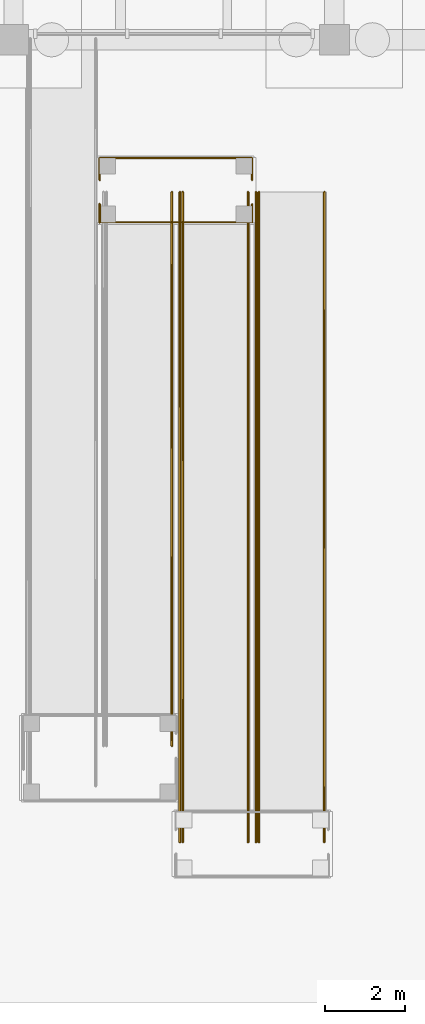
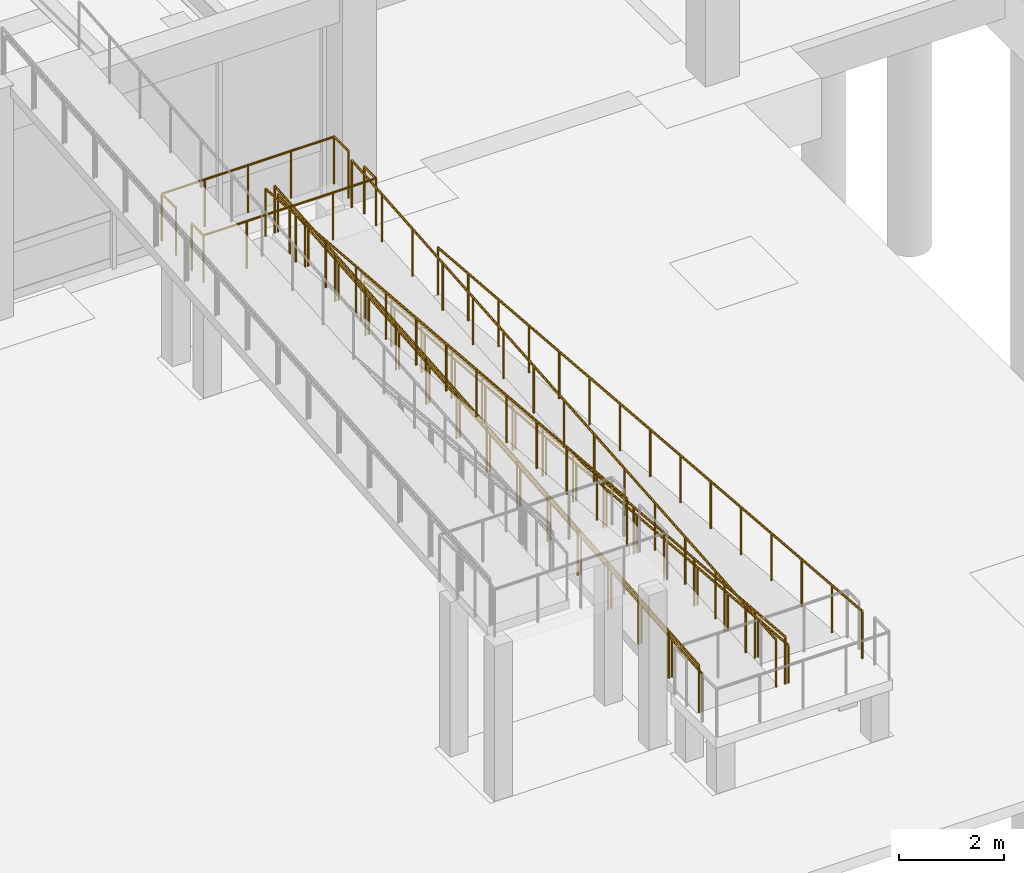
# One storey, part 37 of 44: 10 railings.
"""IFC4 building model written with IfcOpenShell, lengths in metres."""

from ifc_helpers import new_model, si_unit, direction, frame, origin, origin_2d, place, context, subcontext, project, spatial, circle, extrude, material, type_object, element, save


model = new_model("IFC4")

# Units and contexts
model_context = context("Model", 3, precision=1e-05, world=origin(), true_north=direction((0.0, 1.0)))
body_context = subcontext(model_context, "Body", "Model", "MODEL_VIEW")
ifc_project = project(units=[si_unit("LENGTHUNIT", "METRE"), si_unit("AREAUNIT", "SQUARE_METRE"), si_unit("VOLUMEUNIT", "CUBIC_METRE"), si_unit("PLANEANGLEUNIT", "RADIAN"), si_unit("MASSUNIT", "GRAM", prefix="KILO")], contexts=[model_context])

# Site, building, storey
site_placement = place(None, origin())
site = spatial("IfcSite", under=ifc_project, at=site_placement, CompositionType="ELEMENT")
building_placement = place(site_placement, origin())
building = spatial("IfcBuilding", under=site, at=building_placement, Name="Pecanmere Concourse Central Library", CompositionType="ELEMENT")
storey_placement = place(building_placement, frame((0.0, 0.0, -5.39990234375)))
storey = spatial("IfcBuildingStorey", under=building, at=storey_placement, Name="B1", CompositionType="ELEMENT", Elevation=-5.39990234375)

# Railings
ifc_material_1 = material(Name="Brushed stainless steel Grade 316", Category="steel")
railing_type_1 = type_object("IfcRailingType", Name="RAIL_RAMP_HR", PredefinedType="HANDRAIL", material=ifc_material_1)
railing_1_placement = place(storey_placement, frame((102.1201171875, 20.199951171875, 0.0)))
element("IfcRailing", 1, at=railing_1_placement, inside=storey, type_object=railing_type_1, Name="Ramp Handrail 5", PredefinedType="HANDRAIL", context=body_context, shape_type="SweptSolid", body=[
    extrude(circle(Radius=0.02392578125, at=origin_2d()), frame((0.0, 0.0, 0.8759765625), z_axis=(0.0, -0.996546483234, 0.083036779531), x_axis=(1.0, 0.0, 0.0)), (0.0, 0.0, 1.0), 16.256103515625),
    extrude(circle(Radius=0.02099609375, at=origin_2d()), origin(), (0.0, 0.0, 1.0), 0.851806640625),
    extrude(circle(Radius=0.02099609375, at=origin_2d()), frame((0.0, -1.1572265625, 0.096435546875)), (0.0, 0.0, 1.0), 0.851806640625),
    extrude(circle(Radius=0.02099609375, at=origin_2d()), frame((0.0, -2.314208984375, 0.19287109375)), (0.0, 0.0, 1.0), 0.851806640625),
    extrude(circle(Radius=0.02099609375, at=origin_2d()), frame((0.0, -3.471435546875, 0.289306640625)), (0.0, 0.0, 1.0), 0.851806640625),
    extrude(circle(Radius=0.02099609375, at=origin_2d()), frame((0.0, -4.628662109375, 0.3857421875)), (0.0, 0.0, 1.0), 0.851806640625),
    extrude(circle(Radius=0.02099609375, at=origin_2d()), frame((0.0, -5.78564453125, 0.482177734375)), (0.0, 0.0, 1.0), 0.851806640625),
    extrude(circle(Radius=0.02099609375, at=origin_2d()), frame((0.0, -6.94287109375, 0.57861328125)), (0.0, 0.0, 1.0), 0.851806640625),
    extrude(circle(Radius=0.02099609375, at=origin_2d()), frame((0.0, -8.10009765625, 0.6748046875)), (0.0, 0.0, 1.0), 0.851806640625),
    extrude(circle(Radius=0.02099609375, at=origin_2d()), frame((0.0, -9.257080078125, 0.771240234375)), (0.0, 0.0, 1.0), 0.851806640625),
    extrude(circle(Radius=0.02099609375, at=origin_2d()), frame((0.0, -10.414306640625, 0.86767578125)), (0.0, 0.0, 1.0), 0.851806640625),
    extrude(circle(Radius=0.02099609375, at=origin_2d()), frame((0.0, -11.5712890625, 0.964111328125)), (0.0, 0.0, 1.0), 0.851806640625),
    extrude(circle(Radius=0.02099609375, at=origin_2d()), frame((0.0, -12.728515625, 1.060546875)), (0.0, 0.0, 1.0), 0.851806640625),
    extrude(circle(Radius=0.02099609375, at=origin_2d()), frame((0.0, -13.8857421875, 1.156982421875)), (0.0, 0.0, 1.0), 0.851806640625),
    extrude(circle(Radius=0.02099609375, at=origin_2d()), frame((0.0, -15.042724609375, 1.25341796875)), (0.0, 0.0, 1.0), 0.851806640625),
    extrude(circle(Radius=0.02099609375, at=origin_2d()), frame((0.0, -16.199951171875, 1.349853515625)), (0.0, 0.0, 1.0), 0.851806640625),
])
railing_2_placement = place(storey_placement, frame((100.219970703125, 4.0, 1.349853515625)))
element("IfcRailing", 2, at=railing_2_placement, inside=storey, type_object=railing_type_1, Name="Ramp Handrail 6", PredefinedType="HANDRAIL", context=body_context, shape_type="SweptSolid", body=[
    extrude(circle(Radius=0.02392578125, at=origin_2d()), frame((0.0, 0.0, 0.8759765625), z_axis=(0.0, 0.99654524035, 0.083051694358), x_axis=(-1.0, 0.0, 0.0)), (0.0, 0.0, 1.0), 16.256103515625),
    extrude(circle(Radius=0.02099609375, at=origin_2d()), origin(), (0.0, 0.0, 1.0), 0.851806640625),
    extrude(circle(Radius=0.02099609375, at=origin_2d()), frame((0.0, 1.1572265625, 0.096435546875)), (0.0, 0.0, 1.0), 0.851806640625),
    extrude(circle(Radius=0.02099609375, at=origin_2d()), frame((0.0, 2.314208984375, 0.19287109375)), (0.0, 0.0, 1.0), 0.851806640625),
    extrude(circle(Radius=0.02099609375, at=origin_2d()), frame((0.0, 3.471435546875, 0.289306640625)), (0.0, 0.0, 1.0), 0.851806640625),
    extrude(circle(Radius=0.02099609375, at=origin_2d()), frame((0.0, 4.628662109375, 0.3857421875)), (0.0, 0.0, 1.0), 0.851806640625),
    extrude(circle(Radius=0.02099609375, at=origin_2d()), frame((0.0, 5.78564453125, 0.482177734375)), (0.0, 0.0, 1.0), 0.851806640625),
    extrude(circle(Radius=0.02099609375, at=origin_2d()), frame((0.0, 6.94287109375, 0.57861328125)), (0.0, 0.0, 1.0), 0.851806640625),
    extrude(circle(Radius=0.02099609375, at=origin_2d()), frame((0.0, 8.10009765625, 0.675048828125)), (0.0, 0.0, 1.0), 0.851806640625),
    extrude(circle(Radius=0.02099609375, at=origin_2d()), frame((0.0, 9.257080078125, 0.771484375)), (0.0, 0.0, 1.0), 0.851806640625),
    extrude(circle(Radius=0.02099609375, at=origin_2d()), frame((0.0, 10.414306640625, 0.867919921875)), (0.0, 0.0, 1.0), 0.851806640625),
    extrude(circle(Radius=0.02099609375, at=origin_2d()), frame((0.0, 11.5712890625, 0.96435546875)), (0.0, 0.0, 1.0), 0.851806640625),
    extrude(circle(Radius=0.02099609375, at=origin_2d()), frame((0.0, 12.728515625, 1.060791015625)), (0.0, 0.0, 1.0), 0.851806640625),
    extrude(circle(Radius=0.02099609375, at=origin_2d()), frame((0.0, 13.8857421875, 1.1572265625)), (0.0, 0.0, 1.0), 0.851806640625),
    extrude(circle(Radius=0.02099609375, at=origin_2d()), frame((0.0, 15.042724609375, 1.253662109375)), (0.0, 0.0, 1.0), 0.851806640625),
    extrude(circle(Radius=0.02099609375, at=origin_2d()), frame((0.0, 16.199951171875, 1.35009765625)), (0.0, 0.0, 1.0), 0.851806640625),
])
ifc_material_2 = material(Name="Architectural anodized bronze")
railing_type_2 = type_object("IfcRailingType", Name="RAIL_TERR_1120", PredefinedType="BALUSTRADE", material=ifc_material_2)
railing_3_placement = place(storey_placement, frame((102.050048828125, 20.199951171875, 0.0)))
element("IfcRailing", 3, at=railing_3_placement, inside=storey, type_object=railing_type_2, Name="Ramp Protective Guard 5L", PredefinedType="BALUSTRADE", context=body_context, shape_type="SweptSolid", body=[
    extrude(circle(Radius=0.02392578125, at=origin_2d()), frame((0.0, 0.0, 1.09619140625), z_axis=(0.0, -0.996546483234, 0.083036779531), x_axis=(1.0, 0.0, 0.0)), (0.0, 0.0, 1.0), 16.256103515625),
    extrude(circle(Radius=0.02099609375, at=origin_2d()), origin(), (0.0, 0.0, 1.0), 1.072021484375),
    extrude(circle(Radius=0.02099609375, at=origin_2d()), frame((0.0, -1.1572265625, 0.096435546875)), (0.0, 0.0, 1.0), 1.072021484375),
    extrude(circle(Radius=0.02099609375, at=origin_2d()), frame((0.0, -2.314208984375, 0.19287109375)), (0.0, 0.0, 1.0), 1.072021484375),
    extrude(circle(Radius=0.02099609375, at=origin_2d()), frame((0.0, -3.471435546875, 0.289306640625)), (0.0, 0.0, 1.0), 1.072021484375),
    extrude(circle(Radius=0.02099609375, at=origin_2d()), frame((0.0, -4.628662109375, 0.3857421875)), (0.0, 0.0, 1.0), 1.072021484375),
    extrude(circle(Radius=0.02099609375, at=origin_2d()), frame((0.0, -5.78564453125, 0.482177734375)), (0.0, 0.0, 1.0), 1.072021484375),
    extrude(circle(Radius=0.02099609375, at=origin_2d()), frame((0.0, -6.94287109375, 0.57861328125)), (0.0, 0.0, 1.0), 1.072021484375),
    extrude(circle(Radius=0.02099609375, at=origin_2d()), frame((0.0, -8.10009765625, 0.6748046875)), (0.0, 0.0, 1.0), 1.072021484375),
    extrude(circle(Radius=0.02099609375, at=origin_2d()), frame((0.0, -9.257080078125, 0.771240234375)), (0.0, 0.0, 1.0), 1.072021484375),
    extrude(circle(Radius=0.02099609375, at=origin_2d()), frame((0.0, -10.414306640625, 0.86767578125)), (0.0, 0.0, 1.0), 1.072021484375),
    extrude(circle(Radius=0.02099609375, at=origin_2d()), frame((0.0, -11.5712890625, 0.964111328125)), (0.0, 0.0, 1.0), 1.072021484375),
    extrude(circle(Radius=0.02099609375, at=origin_2d()), frame((0.0, -12.728515625, 1.060546875)), (0.0, 0.0, 1.0), 1.072021484375),
    extrude(circle(Radius=0.02099609375, at=origin_2d()), frame((0.0, -13.8857421875, 1.156982421875)), (0.0, 0.0, 1.0), 1.072021484375),
    extrude(circle(Radius=0.02099609375, at=origin_2d()), frame((0.0, -15.042724609375, 1.25341796875)), (0.0, 0.0, 1.0), 1.072021484375),
    extrude(circle(Radius=0.02099609375, at=origin_2d()), frame((0.0, -16.199951171875, 1.349853515625)), (0.0, 0.0, 1.0), 1.072021484375),
])
railing_4_placement = place(storey_placement, frame((103.75, 20.199951171875, 0.0)))
element("IfcRailing", 4, at=railing_4_placement, inside=storey, type_object=railing_type_2, Name="Ramp Protective Guard 5R", PredefinedType="BALUSTRADE", context=body_context, shape_type="SweptSolid", body=[
    extrude(circle(Radius=0.02392578125, at=origin_2d()), frame((0.0, 0.0, 1.09619140625), z_axis=(0.0, -0.996546483234, 0.083036779531), x_axis=(1.0, 0.0, 0.0)), (0.0, 0.0, 1.0), 16.256103515625),
    extrude(circle(Radius=0.02099609375, at=origin_2d()), origin(), (0.0, 0.0, 1.0), 1.072021484375),
    extrude(circle(Radius=0.02099609375, at=origin_2d()), frame((0.0, -1.1572265625, 0.096435546875)), (0.0, 0.0, 1.0), 1.072021484375),
    extrude(circle(Radius=0.02099609375, at=origin_2d()), frame((0.0, -2.314208984375, 0.19287109375)), (0.0, 0.0, 1.0), 1.072021484375),
    extrude(circle(Radius=0.02099609375, at=origin_2d()), frame((0.0, -3.471435546875, 0.289306640625)), (0.0, 0.0, 1.0), 1.072021484375),
    extrude(circle(Radius=0.02099609375, at=origin_2d()), frame((0.0, -4.628662109375, 0.3857421875)), (0.0, 0.0, 1.0), 1.072021484375),
    extrude(circle(Radius=0.02099609375, at=origin_2d()), frame((0.0, -5.78564453125, 0.482177734375)), (0.0, 0.0, 1.0), 1.072021484375),
    extrude(circle(Radius=0.02099609375, at=origin_2d()), frame((0.0, -6.94287109375, 0.57861328125)), (0.0, 0.0, 1.0), 1.072021484375),
    extrude(circle(Radius=0.02099609375, at=origin_2d()), frame((0.0, -8.10009765625, 0.6748046875)), (0.0, 0.0, 1.0), 1.072021484375),
    extrude(circle(Radius=0.02099609375, at=origin_2d()), frame((0.0, -9.257080078125, 0.771240234375)), (0.0, 0.0, 1.0), 1.072021484375),
    extrude(circle(Radius=0.02099609375, at=origin_2d()), frame((0.0, -10.414306640625, 0.86767578125)), (0.0, 0.0, 1.0), 1.072021484375),
    extrude(circle(Radius=0.02099609375, at=origin_2d()), frame((0.0, -11.5712890625, 0.964111328125)), (0.0, 0.0, 1.0), 1.072021484375),
    extrude(circle(Radius=0.02099609375, at=origin_2d()), frame((0.0, -12.728515625, 1.060546875)), (0.0, 0.0, 1.0), 1.072021484375),
    extrude(circle(Radius=0.02099609375, at=origin_2d()), frame((0.0, -13.8857421875, 1.156982421875)), (0.0, 0.0, 1.0), 1.072021484375),
    extrude(circle(Radius=0.02099609375, at=origin_2d()), frame((0.0, -15.042724609375, 1.25341796875)), (0.0, 0.0, 1.0), 1.072021484375),
    extrude(circle(Radius=0.02099609375, at=origin_2d()), frame((0.0, -16.199951171875, 1.349853515625)), (0.0, 0.0, 1.0), 1.072021484375),
])
railing_5_placement = place(storey_placement, frame((100.14990234375, 4.0, 1.349853515625)))
element("IfcRailing", 5, at=railing_5_placement, inside=storey, type_object=railing_type_2, Name="Ramp Protective Guard 6L", PredefinedType="BALUSTRADE", context=body_context, shape_type="SweptSolid", body=[
    extrude(circle(Radius=0.02392578125, at=origin_2d()), frame((0.0, 0.0, 1.09619140625), z_axis=(0.0, 0.99654524035, 0.083051694358), x_axis=(-1.0, 0.0, 0.0)), (0.0, 0.0, 1.0), 16.256103515625),
    extrude(circle(Radius=0.02099609375, at=origin_2d()), origin(), (0.0, 0.0, 1.0), 1.072021484375),
    extrude(circle(Radius=0.02099609375, at=origin_2d()), frame((0.0, 1.1572265625, 0.096435546875)), (0.0, 0.0, 1.0), 1.072021484375),
    extrude(circle(Radius=0.02099609375, at=origin_2d()), frame((0.0, 2.314208984375, 0.19287109375)), (0.0, 0.0, 1.0), 1.072021484375),
    extrude(circle(Radius=0.02099609375, at=origin_2d()), frame((0.0, 3.471435546875, 0.289306640625)), (0.0, 0.0, 1.0), 1.072021484375),
    extrude(circle(Radius=0.02099609375, at=origin_2d()), frame((0.0, 4.628662109375, 0.3857421875)), (0.0, 0.0, 1.0), 1.072021484375),
    extrude(circle(Radius=0.02099609375, at=origin_2d()), frame((0.0, 5.78564453125, 0.482177734375)), (0.0, 0.0, 1.0), 1.072021484375),
    extrude(circle(Radius=0.02099609375, at=origin_2d()), frame((0.0, 6.94287109375, 0.57861328125)), (0.0, 0.0, 1.0), 1.072021484375),
    extrude(circle(Radius=0.02099609375, at=origin_2d()), frame((0.0, 8.10009765625, 0.675048828125)), (0.0, 0.0, 1.0), 1.072021484375),
    extrude(circle(Radius=0.02099609375, at=origin_2d()), frame((0.0, 9.257080078125, 0.771484375)), (0.0, 0.0, 1.0), 1.072021484375),
    extrude(circle(Radius=0.02099609375, at=origin_2d()), frame((0.0, 10.414306640625, 0.867919921875)), (0.0, 0.0, 1.0), 1.072021484375),
    extrude(circle(Radius=0.02099609375, at=origin_2d()), frame((0.0, 11.5712890625, 0.96435546875)), (0.0, 0.0, 1.0), 1.072021484375),
    extrude(circle(Radius=0.02099609375, at=origin_2d()), frame((0.0, 12.728515625, 1.060791015625)), (0.0, 0.0, 1.0), 1.072021484375),
    extrude(circle(Radius=0.02099609375, at=origin_2d()), frame((0.0, 13.8857421875, 1.1572265625)), (0.0, 0.0, 1.0), 1.072021484375),
    extrude(circle(Radius=0.02099609375, at=origin_2d()), frame((0.0, 15.042724609375, 1.253662109375)), (0.0, 0.0, 1.0), 1.072021484375),
    extrude(circle(Radius=0.02099609375, at=origin_2d()), frame((0.0, 16.199951171875, 1.35009765625)), (0.0, 0.0, 1.0), 1.072021484375),
])
railing_6_placement = place(storey_placement, frame((101.85009765625, 4.0, 1.349853515625)))
element("IfcRailing", 6, at=railing_6_placement, inside=storey, type_object=railing_type_2, Name="Ramp Protective Guard 6R", PredefinedType="BALUSTRADE", context=body_context, shape_type="SweptSolid", body=[
    extrude(circle(Radius=0.02392578125, at=origin_2d()), frame((0.0, 0.0, 1.09619140625), z_axis=(0.0, 0.99654524035, 0.083051694358), x_axis=(-1.0, 0.0, 0.0)), (0.0, 0.0, 1.0), 16.256103515625),
    extrude(circle(Radius=0.02099609375, at=origin_2d()), origin(), (0.0, 0.0, 1.0), 1.072021484375),
    extrude(circle(Radius=0.02099609375, at=origin_2d()), frame((0.0, 1.1572265625, 0.096435546875)), (0.0, 0.0, 1.0), 1.072021484375),
    extrude(circle(Radius=0.02099609375, at=origin_2d()), frame((0.0, 2.314208984375, 0.19287109375)), (0.0, 0.0, 1.0), 1.072021484375),
    extrude(circle(Radius=0.02099609375, at=origin_2d()), frame((0.0, 3.471435546875, 0.289306640625)), (0.0, 0.0, 1.0), 1.072021484375),
    extrude(circle(Radius=0.02099609375, at=origin_2d()), frame((0.0, 4.628662109375, 0.3857421875)), (0.0, 0.0, 1.0), 1.072021484375),
    extrude(circle(Radius=0.02099609375, at=origin_2d()), frame((0.0, 5.78564453125, 0.482177734375)), (0.0, 0.0, 1.0), 1.072021484375),
    extrude(circle(Radius=0.02099609375, at=origin_2d()), frame((0.0, 6.94287109375, 0.57861328125)), (0.0, 0.0, 1.0), 1.072021484375),
    extrude(circle(Radius=0.02099609375, at=origin_2d()), frame((0.0, 8.10009765625, 0.675048828125)), (0.0, 0.0, 1.0), 1.072021484375),
    extrude(circle(Radius=0.02099609375, at=origin_2d()), frame((0.0, 9.257080078125, 0.771484375)), (0.0, 0.0, 1.0), 1.072021484375),
    extrude(circle(Radius=0.02099609375, at=origin_2d()), frame((0.0, 10.414306640625, 0.867919921875)), (0.0, 0.0, 1.0), 1.072021484375),
    extrude(circle(Radius=0.02099609375, at=origin_2d()), frame((0.0, 11.5712890625, 0.96435546875)), (0.0, 0.0, 1.0), 1.072021484375),
    extrude(circle(Radius=0.02099609375, at=origin_2d()), frame((0.0, 12.728515625, 1.060791015625)), (0.0, 0.0, 1.0), 1.072021484375),
    extrude(circle(Radius=0.02099609375, at=origin_2d()), frame((0.0, 13.8857421875, 1.1572265625)), (0.0, 0.0, 1.0), 1.072021484375),
    extrude(circle(Radius=0.02099609375, at=origin_2d()), frame((0.0, 15.042724609375, 1.253662109375)), (0.0, 0.0, 1.0), 1.072021484375),
    extrude(circle(Radius=0.02099609375, at=origin_2d()), frame((0.0, 16.199951171875, 1.35009765625)), (0.0, 0.0, 1.0), 1.072021484375),
])
railing_7_placement = place(storey_placement, frame((99.949951171875, 20.199951171875, 2.699951171875)))
element("IfcRailing", 7, at=railing_7_placement, inside=storey, type_object=railing_type_2, Name="Ramp Protective Guard 7R", PredefinedType="BALUSTRADE", context=body_context, shape_type="SweptSolid", body=[
    extrude(circle(Radius=0.02392578125, at=origin_2d()), frame((0.0, 0.0, 1.09619140625), z_axis=(0.0, -0.996546366156, 0.083038184601), x_axis=(1.0, 0.0, 0.0)), (0.0, 0.0, 1.0), 13.847900390625),
    extrude(circle(Radius=0.02099609375, at=origin_2d()), origin(), (0.0, 0.0, 1.0), 1.072021484375),
    extrude(circle(Radius=0.02099609375, at=origin_2d()), frame((0.0, -1.14990234375, 0.095703125)), (0.0, 0.0, 1.0), 1.072021484375),
    extrude(circle(Radius=0.02099609375, at=origin_2d()), frame((0.0, -2.300048828125, 0.191650390625)), (0.0, 0.0, 1.0), 1.072021484375),
    extrude(circle(Radius=0.02099609375, at=origin_2d()), frame((0.0, -3.449951171875, 0.28759765625)), (0.0, 0.0, 1.0), 1.072021484375),
    extrude(circle(Radius=0.02099609375, at=origin_2d()), frame((0.0, -4.60009765625, 0.38330078125)), (0.0, 0.0, 1.0), 1.072021484375),
    extrude(circle(Radius=0.02099609375, at=origin_2d()), frame((0.0, -5.75, 0.47900390625)), (0.0, 0.0, 1.0), 1.072021484375),
    extrude(circle(Radius=0.02099609375, at=origin_2d()), frame((0.0, -6.89990234375, 0.574951171875)), (0.0, 0.0, 1.0), 1.072021484375),
    extrude(circle(Radius=0.02099609375, at=origin_2d()), frame((0.0, -8.050048828125, 0.6708984375)), (0.0, 0.0, 1.0), 1.072021484375),
    extrude(circle(Radius=0.02099609375, at=origin_2d()), frame((0.0, -9.199951171875, 0.7666015625)), (0.0, 0.0, 1.0), 1.072021484375),
    extrude(circle(Radius=0.02099609375, at=origin_2d()), frame((0.0, -10.35009765625, 0.8623046875)), (0.0, 0.0, 1.0), 1.072021484375),
    extrude(circle(Radius=0.02099609375, at=origin_2d()), frame((0.0, -11.5, 0.958251953125)), (0.0, 0.0, 1.0), 1.072021484375),
    extrude(circle(Radius=0.02099609375, at=origin_2d()), frame((0.0, -12.650146484375, 1.05419921875)), (0.0, 0.0, 1.0), 1.072021484375),
    extrude(circle(Radius=0.02099609375, at=origin_2d()), frame((0.0, -13.800048828125, 1.14990234375)), (0.0, 0.0, 1.0), 1.072021484375),
])
railing_8_placement = place(storey_placement, frame((98.14990234375, 19.449951171875, 2.699951171875)))
element("IfcRailing", 8, at=railing_8_placement, inside=storey, type_object=railing_type_2, Name="Ramp Landing Guard GR-RL013", PredefinedType="BALUSTRADE", context=body_context, shape_type="SweptSolid", body=[
    extrude(circle(Radius=0.02392578125, at=origin_2d()), frame((0.0, 0.0, 1.09619140625), z_axis=(1.0, 0.0, 0.0), x_axis=(0.0, 1.0, 0.0)), (0.0, 0.0, 1.0), 3.800048828125),
    extrude(circle(Radius=0.02392578125, at=origin_2d()), frame((3.800048828125, 0.0, 1.09619140625), z_axis=(0.0, 1.0, 0.0), x_axis=(-1.0, 0.0, 0.0)), (0.0, 0.0, 1.0), 0.449951171875),
    extrude(circle(Radius=0.02099609375, at=origin_2d()), origin(), (0.0, 0.0, 1.0), 1.072021484375),
    extrude(circle(Radius=0.02099609375, at=origin_2d()), frame((0.949951171875, 0.0, 0.0)), (0.0, 0.0, 1.0), 1.072021484375),
    extrude(circle(Radius=0.02099609375, at=origin_2d()), frame((1.89990234375, 0.0, 0.0)), (0.0, 0.0, 1.0), 1.072021484375),
    extrude(circle(Radius=0.02099609375, at=origin_2d()), frame((2.85009765625, 0.0, 0.0)), (0.0, 0.0, 1.0), 1.072021484375),
    extrude(circle(Radius=0.02099609375, at=origin_2d()), frame((3.800048828125, 0.0, 0.0)), (0.0, 0.0, 1.0), 1.072021484375),
    extrude(circle(Radius=0.02099609375, at=origin_2d()), frame((3.800048828125, 0.449951171875, 0.0)), (0.0, 0.0, 1.0), 1.072021484375),
])
railing_9_placement = place(storey_placement, frame((101.949951171875, 20.5, 2.699951171875)))
element("IfcRailing", 9, at=railing_9_placement, inside=storey, type_object=railing_type_2, Name="Ramp Landing Guard GR-RL014", PredefinedType="BALUSTRADE", context=body_context, shape_type="SweptSolid", body=[
    extrude(circle(Radius=0.02392578125, at=origin_2d()), frame((0.0, 0.0, 1.09619140625), z_axis=(0.0, 1.0, 0.0), x_axis=(-1.0, 0.0, 0.0)), (0.0, 0.0, 1.0), 0.550048828125),
    extrude(circle(Radius=0.02392578125, at=origin_2d()), frame((0.0, 0.550048828125, 1.09619140625), z_axis=(-1.0, 0.0, 0.0), x_axis=(0.0, -1.0, 0.0)), (0.0, 0.0, 1.0), 3.800048828125),
    extrude(circle(Radius=0.02392578125, at=origin_2d()), frame((-3.800048828125, 0.550048828125, 1.09619140625), z_axis=(0.0, -1.0, 0.0), x_axis=(1.0, 0.0, 0.0)), (0.0, 0.0, 1.0), 0.550048828125),
    extrude(circle(Radius=0.02099609375, at=origin_2d()), origin(), (0.0, 0.0, 1.0), 1.072021484375),
    extrude(circle(Radius=0.02099609375, at=origin_2d()), frame((0.0, 0.550048828125, 0.0)), (0.0, 0.0, 1.0), 1.072021484375),
    extrude(circle(Radius=0.02099609375, at=origin_2d()), frame((-0.949951171875, 0.550048828125, 0.0)), (0.0, 0.0, 1.0), 1.072021484375),
    extrude(circle(Radius=0.02099609375, at=origin_2d()), frame((-1.89990234375, 0.550048828125, 0.0)), (0.0, 0.0, 1.0), 1.072021484375),
    extrude(circle(Radius=0.02099609375, at=origin_2d()), frame((-2.85009765625, 0.550048828125, 0.0)), (0.0, 0.0, 1.0), 1.072021484375),
    extrude(circle(Radius=0.02099609375, at=origin_2d()), frame((-3.800048828125, 0.550048828125, 0.0)), (0.0, 0.0, 1.0), 1.072021484375),
    extrude(circle(Radius=0.02099609375, at=origin_2d()), frame((-3.800048828125, 0.0, 0.0)), (0.0, 0.0, 1.0), 1.072021484375),
])
railing_10_placement = place(storey_placement, frame((98.14990234375, 19.89990234375, 2.699951171875)))
element("IfcRailing", 10, at=railing_10_placement, inside=storey, type_object=railing_type_2, Name="Ramp Landing Guard GR-RL015", PredefinedType="BALUSTRADE", context=body_context, shape_type="SweptSolid", body=[
    extrude(circle(Radius=0.02392578125, at=origin_2d()), frame((0.0, 0.0, 1.09619140625), z_axis=(0.0, -1.0, 0.0), x_axis=(1.0, 0.0, 0.0)), (0.0, 0.0, 1.0), 0.449951171875),
    extrude(circle(Radius=0.02099609375, at=origin_2d()), origin(), (0.0, 0.0, 1.0), 1.072021484375),
    extrude(circle(Radius=0.02099609375, at=origin_2d()), frame((0.0, -0.449951171875, 0.0)), (0.0, 0.0, 1.0), 1.072021484375),
])

save(model, "model.ifc")
